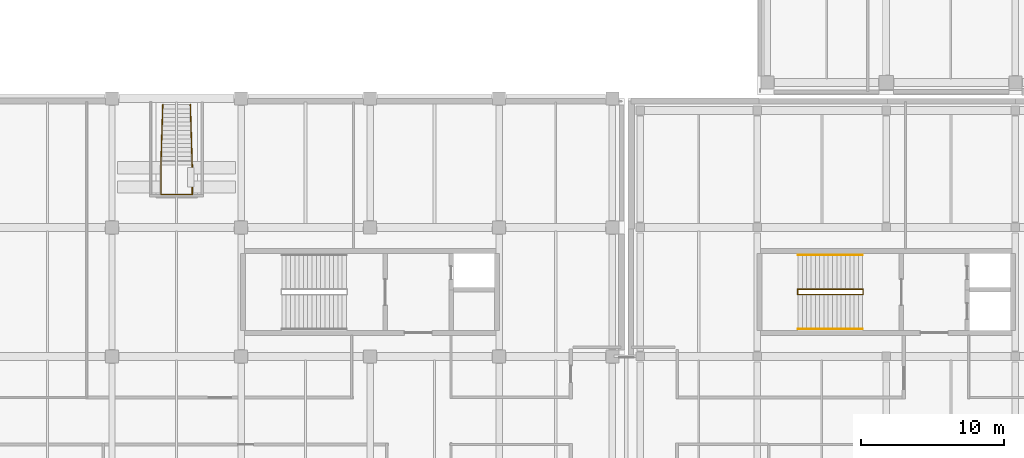
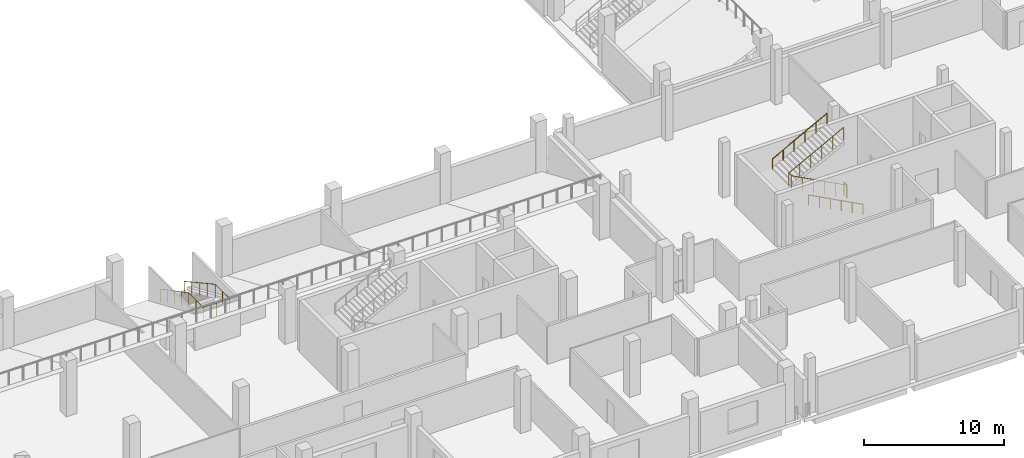
# One storey, part 86 of 100: 5 railings.
"""IFC4 building model written with IfcOpenShell, lengths in metres."""

from ifc_helpers import new_model, si_unit, direction, frame, origin, origin_2d, place, context, subcontext, project, spatial, circle, extrude, material, type_object, element, save


model = new_model("IFC4")

# Units and contexts
model_context = context("Model", 3, precision=1e-05, world=origin(), true_north=direction((0.0, 1.0)))
body_context = subcontext(model_context, "Body", "Model", "MODEL_VIEW")
ifc_project = project(units=[si_unit("LENGTHUNIT", "METRE"), si_unit("AREAUNIT", "SQUARE_METRE"), si_unit("VOLUMEUNIT", "CUBIC_METRE"), si_unit("PLANEANGLEUNIT", "RADIAN"), si_unit("MASSUNIT", "GRAM", prefix="KILO"), si_unit("THERMODYNAMICTEMPERATUREUNIT", "KELVIN"), si_unit("POWERUNIT", "WATT")], contexts=[model_context])

# Site, building, storey
site_placement = place(None, origin())
site = spatial("IfcSite", under=ifc_project, at=site_placement, CompositionType="ELEMENT")
building_placement = place(site_placement, origin())
building = spatial("IfcBuilding", under=site, at=building_placement, Name="Sindhuravela Promenade Stadium", CompositionType="ELEMENT")
storey_placement = place(building_placement, frame((0.0, 0.0, 4.800048828125)))
storey = spatial("IfcBuildingStorey", under=building, at=storey_placement, Name="L01", CompositionType="ELEMENT", Elevation=4.800048828125)

# Railings
ifc_material = material(Name="Architectural wrought steel E350", Category="steel")
railing_type_1 = type_object("IfcRailingType", Name="RL-GRD-1150", PredefinedType="GUARDRAIL", material=ifc_material)
railing_1_placement = place(storey_placement, frame((178.35009765625, 22.31005859375, 0.0)))
element("IfcRailing", 1, at=railing_1_placement, inside=storey, type_object=railing_type_1, Name="Stair GS02 inner well guard (L01)", PredefinedType="GUARDRAIL", context=body_context, shape_type="SweptSolid", body=[
    extrude(circle(Radius=0.02392578125, at=origin_2d()), frame((0.0, 0.0, 1.1259765625), z_axis=(-0.8836546633431795, 0.0, 0.46813933390802775), x_axis=(0.0, -1.0, 0.0)), (0.0, 0.0, 1.0), 5.12646484375),
    extrude(circle(Radius=0.02392578125, at=origin_2d()), frame((-4.530029296875, 0.0, 3.52587890625), z_axis=(0.0, 1.0, 0.0), x_axis=(-1.0, 0.0, 0.0)), (0.0, 0.0, 1.0), 0.3798828125),
    extrude(circle(Radius=0.02392578125, at=origin_2d()), frame((-4.530029296875, 0.3798828125, 3.52587890625), z_axis=(0.8836349624059475, 0.0, 0.46817651928929505), x_axis=(0.0, 1.0, 0.0)), (0.0, 0.0, 1.0), 5.12646484375),
    extrude(circle(Radius=0.02099609375, at=origin_2d()), origin(), (0.0, 0.0, 1.0), 1.101806640625),
    extrude(circle(Radius=0.02099609375, at=origin_2d()), frame((-0.906005859375, 0.0, 0.47998046875)), (0.0, 0.0, 1.0), 1.101806640625),
    extrude(circle(Radius=0.02099609375, at=origin_2d()), frame((-1.81201171875, 0.0, 0.9599609375)), (0.0, 0.0, 1.0), 1.101806640625),
    extrude(circle(Radius=0.02099609375, at=origin_2d()), frame((-2.718017578125, 0.0, 1.43994140625)), (0.0, 0.0, 1.0), 1.101806640625),
    extrude(circle(Radius=0.02099609375, at=origin_2d()), frame((-3.6240234375, 0.0, 1.919921875)), (0.0, 0.0, 1.0), 1.101806640625),
    extrude(circle(Radius=0.02099609375, at=origin_2d()), frame((-4.530029296875, 0.0, 2.39990234375)), (0.0, 0.0, 1.0), 1.101806640625),
    extrude(circle(Radius=0.02099609375, at=origin_2d()), frame((-4.530029296875, 0.3798828125, 2.39990234375)), (0.0, 0.0, 1.0), 1.101806640625),
    extrude(circle(Radius=0.02099609375, at=origin_2d()), frame((-3.6240234375, 0.3798828125, 2.8798828125)), (0.0, 0.0, 1.0), 1.101806640625),
    extrude(circle(Radius=0.02099609375, at=origin_2d()), frame((-2.718017578125, 0.3798828125, 3.35986328125)), (0.0, 0.0, 1.0), 1.101806640625),
    extrude(circle(Radius=0.02099609375, at=origin_2d()), frame((-1.81201171875, 0.3798828125, 3.840087890625)), (0.0, 0.0, 1.0), 1.101806640625),
    extrude(circle(Radius=0.02099609375, at=origin_2d()), frame((-0.906005859375, 0.3798828125, 4.320068359375)), (0.0, 0.0, 1.0), 1.101806640625),
    extrude(circle(Radius=0.02099609375, at=origin_2d()), frame((0.0, 0.3798828125, 4.800048828125)), (0.0, 0.0, 1.0), 1.101806640625),
])
railing_2_placement = place(storey_placement, frame((178.3798828125, 22.31005859375, 0.0)))
element("IfcRailing", 2, at=railing_2_placement, inside=storey, type_object=railing_type_1, Name="Stair GS02 landing well slot guard (L01)", PredefinedType="GUARDRAIL", context=body_context, shape_type="SweptSolid", body=[
    extrude(circle(Radius=0.02392578125, at=origin_2d()), frame((0.0, 0.0, 1.1259765625), z_axis=(0.0, 1.0, 0.0), x_axis=(-1.0, 0.0, 0.0)), (0.0, 0.0, 1.0), 0.3798828125),
    extrude(circle(Radius=0.02099609375, at=origin_2d()), origin(), (0.0, 0.0, 1.0), 1.101806640625),
    extrude(circle(Radius=0.02099609375, at=origin_2d()), frame((0.0, 0.3798828125, 0.0)), (0.0, 0.0, 1.0), 1.101806640625),
])
railing_3_placement = place(storey_placement, frame((129.5400390625, 35.56005859375, 0.0)))
element("IfcRailing", 3, at=railing_3_placement, inside=storey, type_object=railing_type_1, Name="Vomitory VS12 flight & platform guard", PredefinedType="GUARDRAIL", context=body_context, shape_type="SweptSolid", body=[
    extrude(circle(Radius=0.02392578125, at=origin_2d()), frame((0.0, 0.0, 1.1259765625), z_axis=(-0.027300615390253514, -0.8811491305038108, 0.4720496649841958), x_axis=(0.9995203731279667, -0.03096810782289172, 0.0)), (0.0, 0.0, 1.0), 4.766357421875),
    extrude(circle(Radius=0.02392578125, at=origin_2d()), frame((-0.130126953125, -4.199951171875, 3.3759765625), z_axis=(0.0, -1.0, 0.0), x_axis=(1.0, 0.0, 0.0)), (0.0, 0.0, 1.0), 2.070068359375),
    extrude(circle(Radius=0.02392578125, at=origin_2d()), frame((-0.130126953125, -6.27001953125, 3.3759765625), z_axis=(1.0, 0.0, 0.0), x_axis=(0.0, 1.0, 0.0)), (0.0, 0.0, 1.0), 2.18017578125),
    extrude(circle(Radius=0.02392578125, at=origin_2d()), frame((2.050048828125, -6.27001953125, 3.3759765625), z_axis=(0.0, 1.0, 0.0), x_axis=(-1.0, 0.0, 0.0)), (0.0, 0.0, 1.0), 2.070068359375),
    extrude(circle(Radius=0.02392578125, at=origin_2d()), frame((2.050048828125, -4.199951171875, 3.3759765625), z_axis=(-0.027300615390253514, 0.8811491305038108, -0.4720496649841958), x_axis=(-0.9995203731279667, -0.03096810782289172, 0.0)), (0.0, 0.0, 1.0), 4.766357421875),
    extrude(circle(Radius=0.02099609375, at=origin_2d()), origin(), (0.0, 0.0, 1.0), 1.101806640625),
    extrude(circle(Radius=0.02099609375, at=origin_2d()), frame((-0.032470703125, -1.050048828125, 0.5625)), (0.0, 0.0, 1.0), 1.101806640625),
    extrude(circle(Radius=0.02099609375, at=origin_2d()), frame((-0.06494140625, -2.10009765625, 1.125)), (0.0, 0.0, 1.0), 1.101806640625),
    extrude(circle(Radius=0.02099609375, at=origin_2d()), frame((-0.09765625, -3.14990234375, 1.6875)), (0.0, 0.0, 1.0), 1.101806640625),
    extrude(circle(Radius=0.02099609375, at=origin_2d()), frame((-0.130126953125, -4.199951171875, 2.25)), (0.0, 0.0, 1.0), 1.101806640625),
    extrude(circle(Radius=0.02099609375, at=origin_2d()), frame((-0.130126953125, -5.23486328125, 2.25)), (0.0, 0.0, 1.0), 1.101806640625),
    extrude(circle(Radius=0.02099609375, at=origin_2d()), frame((-0.130126953125, -6.27001953125, 2.25)), (0.0, 0.0, 1.0), 1.101806640625),
    extrude(circle(Radius=0.02099609375, at=origin_2d()), frame((0.9599609375, -6.27001953125, 2.25)), (0.0, 0.0, 1.0), 1.101806640625),
    extrude(circle(Radius=0.02099609375, at=origin_2d()), frame((2.050048828125, -6.27001953125, 2.25)), (0.0, 0.0, 1.0), 1.101806640625),
    extrude(circle(Radius=0.02099609375, at=origin_2d()), frame((2.050048828125, -5.23486328125, 2.25)), (0.0, 0.0, 1.0), 1.101806640625),
    extrude(circle(Radius=0.02099609375, at=origin_2d()), frame((2.050048828125, -4.199951171875, 2.25)), (0.0, 0.0, 1.0), 1.101806640625),
    extrude(circle(Radius=0.02099609375, at=origin_2d()), frame((2.017578125, -3.14990234375, 1.6875)), (0.0, 0.0, 1.0), 1.101806640625),
    extrude(circle(Radius=0.02099609375, at=origin_2d()), frame((1.98486328125, -2.10009765625, 1.125)), (0.0, 0.0, 1.0), 1.101806640625),
    extrude(circle(Radius=0.02099609375, at=origin_2d()), frame((1.952392578125, -1.050048828125, 0.5625)), (0.0, 0.0, 1.0), 1.101806640625),
    extrude(circle(Radius=0.02099609375, at=origin_2d()), frame((1.919921875, 0.0, 0.0)), (0.0, 0.0, 1.0), 1.101806640625),
])
railing_type_2 = type_object("IfcRailingType", Name="RL-HND-920", PredefinedType="HANDRAIL", material=ifc_material)
railing_4_placement = place(storey_placement, frame((178.35009765625, 19.919921875, 0.0)))
element("IfcRailing", 4, at=railing_4_placement, inside=storey, type_object=railing_type_2, Name="Stair GS02 lower wall handrail (L01)", PredefinedType="HANDRAIL", context=body_context, shape_type="SweptSolid", body=[
    extrude(circle(Radius=0.02392578125, at=origin_2d()), frame((0.0, 0.0, 0.89599609375), z_axis=(-0.8823608919668723, 0.0, 0.4705733272588083), x_axis=(0.0, -1.0, 0.0)), (0.0, 0.0, 1.0), 5.099853515625),
    extrude(circle(Radius=0.02099609375, at=origin_2d()), origin(), (0.0, 0.0, 1.0), 0.871826171875),
    extrude(circle(Radius=0.02099609375, at=origin_2d()), frame((-0.89990234375, 0.0, 0.47998046875)), (0.0, 0.0, 1.0), 0.871826171875),
    extrude(circle(Radius=0.02099609375, at=origin_2d()), frame((-1.800048828125, 0.0, 0.9599609375)), (0.0, 0.0, 1.0), 0.871826171875),
    extrude(circle(Radius=0.02099609375, at=origin_2d()), frame((-2.699951171875, 0.0, 1.43994140625)), (0.0, 0.0, 1.0), 0.871826171875),
    extrude(circle(Radius=0.02099609375, at=origin_2d()), frame((-3.60009765625, 0.0, 1.919921875)), (0.0, 0.0, 1.0), 0.871826171875),
    extrude(circle(Radius=0.02099609375, at=origin_2d()), frame((-4.5, 0.0, 2.39990234375)), (0.0, 0.0, 1.0), 0.871826171875),
])
railing_5_placement = place(storey_placement, frame((173.85009765625, 25.080078125, 2.39990234375)))
element("IfcRailing", 5, at=railing_5_placement, inside=storey, type_object=railing_type_2, Name="Stair GS02 upper wall handrail (L01)", PredefinedType="HANDRAIL", context=body_context, shape_type="SweptSolid", body=[
    extrude(circle(Radius=0.02392578125, at=origin_2d()), frame((0.0, 0.0, 0.89599609375), z_axis=(0.8823410147872734, 0.0, 0.47061059659145427), x_axis=(0.0, 1.0, 0.0)), (0.0, 0.0, 1.0), 5.10009765625),
    extrude(circle(Radius=0.02099609375, at=origin_2d()), origin(), (0.0, 0.0, 1.0), 0.871826171875),
    extrude(circle(Radius=0.02099609375, at=origin_2d()), frame((0.89990234375, 0.0, 0.47998046875)), (0.0, 0.0, 1.0), 0.871826171875),
    extrude(circle(Radius=0.02099609375, at=origin_2d()), frame((1.800048828125, 0.0, 0.9599609375)), (0.0, 0.0, 1.0), 0.871826171875),
    extrude(circle(Radius=0.02099609375, at=origin_2d()), frame((2.699951171875, 0.0, 1.440185546875)), (0.0, 0.0, 1.0), 0.871826171875),
    extrude(circle(Radius=0.02099609375, at=origin_2d()), frame((3.60009765625, 0.0, 1.920166015625)), (0.0, 0.0, 1.0), 0.871826171875),
    extrude(circle(Radius=0.02099609375, at=origin_2d()), frame((4.5, 0.0, 2.400146484375)), (0.0, 0.0, 1.0), 0.871826171875),
])

save(model, "model.ifc")
